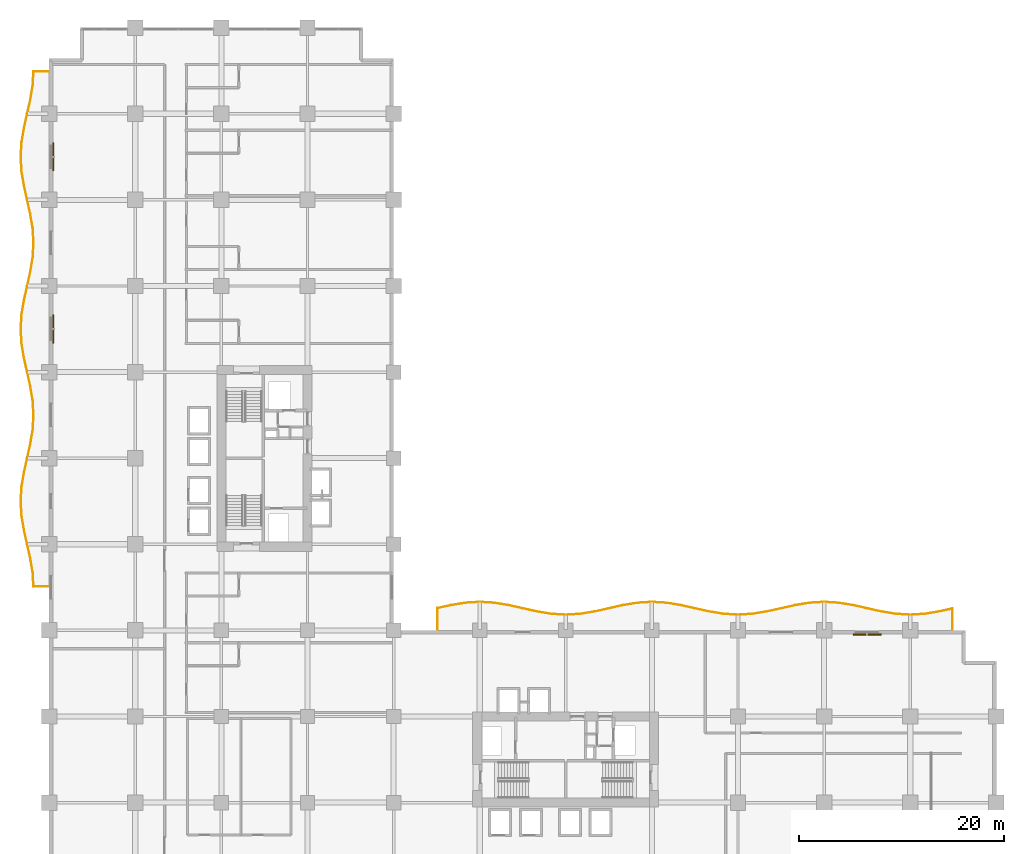
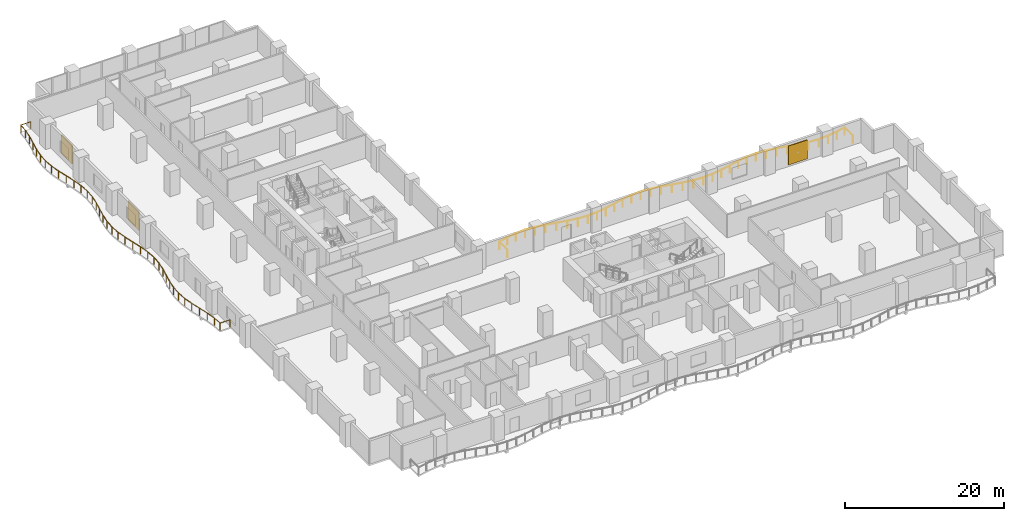
# One storey, part 22 of 22: 3 shading devices, 2 railings.
"""IFC4 building model written with IfcOpenShell, lengths in metres."""

from ifc_helpers import new_model, si_unit, direction, frame, origin, origin_2d, place, context, subcontext, project, spatial, rectangle, circle, extrude, material, layer, layer_set, type_object, element, save


model = new_model("IFC4")

# Units and contexts
model_context = context("Model", 3, precision=1e-05, world=origin(), true_north=direction((0.0, 1.0)))
body_context = subcontext(model_context, "Body", "Model", "MODEL_VIEW")
ifc_project = project(units=[si_unit("LENGTHUNIT", "METRE"), si_unit("AREAUNIT", "SQUARE_METRE"), si_unit("VOLUMEUNIT", "CUBIC_METRE"), si_unit("PLANEANGLEUNIT", "RADIAN"), si_unit("MASSUNIT", "GRAM", prefix="KILO")], contexts=[model_context])

# Site, building, storey
site_placement = place(None, origin())
site = spatial("IfcSite", under=ifc_project, at=site_placement, CompositionType="ELEMENT")
building_placement = place(site_placement, origin())
building = spatial("IfcBuilding", under=site, at=building_placement, Name="Koriwani Terraces Tower", CompositionType="ELEMENT")
storey_placement = place(building_placement, frame((0.0, 0.0, 62.39990234375)))
storey = spatial("IfcBuildingStorey", under=building, at=storey_placement, Name="L14", CompositionType="ELEMENT", Elevation=62.39990234375)

# Railings
ifc_material_1 = material(Name="Steel ASTM A572 Grade 50", Category="steel")
railing_type = type_object("IfcRailingType", Name="GUARD_BALUSTRADE_1150", PredefinedType="BALUSTRADE", material=ifc_material_1)
railing_1_placement = place(storey_placement, frame((-0.080078125, 37.8798828125, 0.0)))
element("IfcRailing", 1, at=railing_1_placement, inside=storey, type_object=railing_type, Name="L14 Balcony Perimeter Safety Balustrade (W)", PredefinedType="BALUSTRADE", context=body_context, shape_type="SweptSolid", body=[
    extrude(circle(Radius=0.02392578125, at=origin_2d()), frame((0.0, 0.0, 1.1259765625), z_axis=(-1.0, 0.0, 0.0), x_axis=(0.0, -1.0, 0.0)), (0.0, 0.0, 1.0), 1.444580078125),
    extrude(circle(Radius=0.02392578125, at=origin_2d()), frame((-1.444580078125, 0.0, 1.1259765625), z_axis=(-0.059786303672, 0.998211199042, 0.0), x_axis=(-0.998211199042, -0.059786303672, 0.0)), (0.0, 0.0, 1.0), 1.331298828125),
    extrude(circle(Radius=0.02392578125, at=origin_2d()), frame((-1.524169921875, 1.328857421875, 1.1259765625), z_axis=(-0.161203411159, 0.986921202645, 0.0), x_axis=(-0.986921202645, -0.161203411159, 0.0)), (0.0, 0.0, 1.0), 1.425048828125),
    extrude(circle(Radius=0.02392578125, at=origin_2d()), frame((-1.75390625, 2.7353515625, 1.1259765625), z_axis=(-0.217849413893, 0.975982393728, 0.0), x_axis=(-0.975982393728, -0.217849413893, 0.0)), (0.0, 0.0, 1.0), 2.868896484375),
    extrude(circle(Radius=0.02392578125, at=origin_2d()), frame((-2.37890625, 5.535400390625, 1.1259765625), z_axis=(-0.16131405304, 0.986903124066, 0.0), x_axis=(-0.986903124066, -0.16131405304, 0.0)), (0.0, 0.0, 1.0), 1.412109375),
    extrude(circle(Radius=0.02392578125, at=origin_2d()), frame((-2.606689453125, 6.928955078125, 1.1259765625), z_axis=(-0.059738678687, 0.998214050326, 0.0), x_axis=(-0.998214050326, -0.059738678687, 0.0)), (0.0, 0.0, 1.0), 1.3935546875),
    extrude(circle(Radius=0.02392578125, at=origin_2d()), frame((-2.68994140625, 8.320068359375, 1.1259765625), z_axis=(0.059738678687, 0.998214050326, 0.0), x_axis=(-0.998214050326, 0.059738678687, 0.0)), (0.0, 0.0, 1.0), 1.3935546875),
    extrude(circle(Radius=0.02392578125, at=origin_2d()), frame((-2.606689453125, 9.711181640625, 1.1259765625), z_axis=(0.161286532042, 0.986907622111, 0.0), x_axis=(-0.986907622111, 0.161286532042, 0.0)), (0.0, 0.0, 1.0), 1.412353515625),
    extrude(circle(Radius=0.02392578125, at=origin_2d()), frame((-2.37890625, 11.10498046875, 1.1259765625), z_axis=(0.217849413893, 0.975982393728, 0.0), x_axis=(-0.975982393728, 0.217849413893, 0.0)), (0.0, 0.0, 1.0), 2.868896484375),
    extrude(circle(Radius=0.02392578125, at=origin_2d()), frame((-1.75390625, 13.905029296875, 1.1259765625), z_axis=(0.161230670401, 0.986916749742, 0.0), x_axis=(-0.986916749742, 0.161230670401, 0.0)), (0.0, 0.0, 1.0), 1.4248046875),
    extrude(circle(Radius=0.02392578125, at=origin_2d()), frame((-1.524169921875, 15.311279296875, 1.1259765625), z_axis=(0.059675127152, 0.998217851573, 0.0), x_axis=(-0.998217851573, 0.059675127152, 0.0)), (0.0, 0.0, 1.0), 1.411376953125),
    extrude(circle(Radius=0.02392578125, at=origin_2d()), frame((-1.43994140625, 16.72021484375, 1.1259765625), z_axis=(-0.059685432622, 0.998217235442, 0.0), x_axis=(-0.998217235442, -0.059685432622, 0.0)), (0.0, 0.0, 1.0), 1.4111328125),
    extrude(circle(Radius=0.02392578125, at=origin_2d()), frame((-1.524169921875, 18.12890625, 1.1259765625), z_axis=(-0.161203411159, 0.986921202645, 0.0), x_axis=(-0.986921202645, -0.161203411159, 0.0)), (0.0, 0.0, 1.0), 1.425048828125),
    extrude(circle(Radius=0.02392578125, at=origin_2d()), frame((-1.75390625, 19.535400390625, 1.1259765625), z_axis=(-0.217867508535, 0.97597835464, 0.0), x_axis=(-0.97597835464, -0.217867508535, 0.0)), (0.0, 0.0, 1.0), 2.86865234375),
    extrude(circle(Radius=0.02392578125, at=origin_2d()), frame((-2.37890625, 22.335205078125, 1.1259765625), z_axis=(-0.161286532042, 0.986907622111, 0.0), x_axis=(-0.986907622111, -0.161286532042, 0.0)), (0.0, 0.0, 1.0), 1.412353515625),
    extrude(circle(Radius=0.02392578125, at=origin_2d()), frame((-2.606689453125, 23.72900390625, 1.1259765625), z_axis=(-0.059738678687, 0.998214050326, 0.0), x_axis=(-0.998214050326, -0.059738678687, 0.0)), (0.0, 0.0, 1.0), 1.3935546875),
    extrude(circle(Radius=0.02392578125, at=origin_2d()), frame((-2.68994140625, 25.1201171875, 1.1259765625), z_axis=(0.059738678687, 0.998214050326, 0.0), x_axis=(-0.998214050326, 0.059738678687, 0.0)), (0.0, 0.0, 1.0), 1.3935546875),
    extrude(circle(Radius=0.02392578125, at=origin_2d()), frame((-2.606689453125, 26.51123046875, 1.1259765625), z_axis=(0.161286532042, 0.986907622111, 0.0), x_axis=(-0.986907622111, 0.161286532042, 0.0)), (0.0, 0.0, 1.0), 1.412353515625),
    extrude(circle(Radius=0.02392578125, at=origin_2d()), frame((-2.37890625, 27.905029296875, 1.1259765625), z_axis=(0.217867508535, 0.97597835464, 0.0), x_axis=(-0.97597835464, 0.217867508535, 0.0)), (0.0, 0.0, 1.0), 2.86865234375),
    extrude(circle(Radius=0.02392578125, at=origin_2d()), frame((-1.75390625, 30.704833984375, 1.1259765625), z_axis=(0.161203411159, 0.986921202645, 0.0), x_axis=(-0.986921202645, 0.161203411159, 0.0)), (0.0, 0.0, 1.0), 1.425048828125),
    extrude(circle(Radius=0.02392578125, at=origin_2d()), frame((-1.524169921875, 32.111328125, 1.1259765625), z_axis=(0.059685432622, 0.998217235442, 0.0), x_axis=(-0.998217235442, 0.059685432622, 0.0)), (0.0, 0.0, 1.0), 1.4111328125),
    extrude(circle(Radius=0.02392578125, at=origin_2d()), frame((-1.43994140625, 33.52001953125, 1.1259765625), z_axis=(-0.059675127152, 0.998217851573, 0.0), x_axis=(-0.998217851573, -0.059675127152, 0.0)), (0.0, 0.0, 1.0), 1.411376953125),
    extrude(circle(Radius=0.02392578125, at=origin_2d()), frame((-1.524169921875, 34.928955078125, 1.1259765625), z_axis=(-0.161230670401, 0.986916749742, 0.0), x_axis=(-0.986916749742, -0.161230670401, 0.0)), (0.0, 0.0, 1.0), 1.4248046875),
    extrude(circle(Radius=0.02392578125, at=origin_2d()), frame((-1.75390625, 36.335205078125, 1.1259765625), z_axis=(-0.217849413893, 0.975982393728, 0.0), x_axis=(-0.975982393728, -0.217849413893, 0.0)), (0.0, 0.0, 1.0), 2.868896484375),
    extrude(circle(Radius=0.02392578125, at=origin_2d()), frame((-2.37890625, 39.13525390625, 1.1259765625), z_axis=(-0.161286532042, 0.986907622111, 0.0), x_axis=(-0.986907622111, -0.161286532042, 0.0)), (0.0, 0.0, 1.0), 1.412353515625),
    extrude(circle(Radius=0.02392578125, at=origin_2d()), frame((-2.606689453125, 40.529052734375, 1.1259765625), z_axis=(-0.059738678687, 0.998214050326, 0.0), x_axis=(-0.998214050326, -0.059738678687, 0.0)), (0.0, 0.0, 1.0), 1.3935546875),
    extrude(circle(Radius=0.02392578125, at=origin_2d()), frame((-2.68994140625, 41.920166015625, 1.1259765625), z_axis=(0.059738678687, 0.998214050326, 0.0), x_axis=(-0.998214050326, 0.059738678687, 0.0)), (0.0, 0.0, 1.0), 1.3935546875),
    extrude(circle(Radius=0.02392578125, at=origin_2d()), frame((-2.606689453125, 43.311279296875, 1.1259765625), z_axis=(0.16131405304, 0.986903124066, 0.0), x_axis=(-0.986903124066, 0.16131405304, 0.0)), (0.0, 0.0, 1.0), 1.412109375),
    extrude(circle(Radius=0.02392578125, at=origin_2d()), frame((-2.37890625, 44.704833984375, 1.1259765625), z_axis=(0.217849413893, 0.975982393728, 0.0), x_axis=(-0.975982393728, 0.217849413893, 0.0)), (0.0, 0.0, 1.0), 2.868896484375),
    extrude(circle(Radius=0.02392578125, at=origin_2d()), frame((-1.75390625, 47.5048828125, 1.1259765625), z_axis=(0.161203411159, 0.986921202645, 0.0), x_axis=(-0.986921202645, 0.161203411159, 0.0)), (0.0, 0.0, 1.0), 1.425048828125),
    extrude(circle(Radius=0.02392578125, at=origin_2d()), frame((-1.524169921875, 48.911376953125, 1.1259765625), z_axis=(0.059786303672, 0.998211199042, 0.0), x_axis=(-0.998211199042, 0.059786303672, 0.0)), (0.0, 0.0, 1.0), 1.331298828125),
    extrude(circle(Radius=0.02392578125, at=origin_2d()), frame((-1.444580078125, 50.240234375, 1.1259765625), z_axis=(1.0, 0.0, 0.0), x_axis=(0.0, 1.0, 0.0)), (0.0, 0.0, 1.0), 1.444580078125),
    extrude(circle(Radius=0.02099609375, at=origin_2d()), origin(), (0.0, 0.0, 1.0), 1.101806640625),
    extrude(circle(Radius=0.02099609375, at=origin_2d()), frame((-1.444580078125, 0.0, 0.0)), (0.0, 0.0, 1.0), 1.101806640625),
    extrude(circle(Radius=0.02099609375, at=origin_2d()), frame((-1.524169921875, 1.328857421875, 0.0)), (0.0, 0.0, 1.0), 1.101806640625),
    extrude(circle(Radius=0.02099609375, at=origin_2d()), frame((-1.75390625, 2.7353515625, 0.0)), (0.0, 0.0, 1.0), 1.101806640625),
    extrude(circle(Radius=0.02099609375, at=origin_2d()), frame((-2.06640625, 4.13525390625, 0.0)), (0.0, 0.0, 1.0), 1.101806640625),
    extrude(circle(Radius=0.02099609375, at=origin_2d()), frame((-2.37890625, 5.535400390625, 0.0)), (0.0, 0.0, 1.0), 1.101806640625),
    extrude(circle(Radius=0.02099609375, at=origin_2d()), frame((-2.606689453125, 6.928955078125, 0.0)), (0.0, 0.0, 1.0), 1.101806640625),
    extrude(circle(Radius=0.02099609375, at=origin_2d()), frame((-2.68994140625, 8.320068359375, 0.0)), (0.0, 0.0, 1.0), 1.101806640625),
    extrude(circle(Radius=0.02099609375, at=origin_2d()), frame((-2.606689453125, 9.711181640625, 0.0)), (0.0, 0.0, 1.0), 1.101806640625),
    extrude(circle(Radius=0.02099609375, at=origin_2d()), frame((-2.37890625, 11.10498046875, 0.0)), (0.0, 0.0, 1.0), 1.101806640625),
    extrude(circle(Radius=0.02099609375, at=origin_2d()), frame((-2.06640625, 12.5048828125, 0.0)), (0.0, 0.0, 1.0), 1.101806640625),
    extrude(circle(Radius=0.02099609375, at=origin_2d()), frame((-1.75390625, 13.905029296875, 0.0)), (0.0, 0.0, 1.0), 1.101806640625),
    extrude(circle(Radius=0.02099609375, at=origin_2d()), frame((-1.524169921875, 15.311279296875, 0.0)), (0.0, 0.0, 1.0), 1.101806640625),
    extrude(circle(Radius=0.02099609375, at=origin_2d()), frame((-1.43994140625, 16.72021484375, 0.0)), (0.0, 0.0, 1.0), 1.101806640625),
    extrude(circle(Radius=0.02099609375, at=origin_2d()), frame((-1.524169921875, 18.12890625, 0.0)), (0.0, 0.0, 1.0), 1.101806640625),
    extrude(circle(Radius=0.02099609375, at=origin_2d()), frame((-1.75390625, 19.535400390625, 0.0)), (0.0, 0.0, 1.0), 1.101806640625),
    extrude(circle(Radius=0.02099609375, at=origin_2d()), frame((-2.06640625, 20.935302734375, 0.0)), (0.0, 0.0, 1.0), 1.101806640625),
    extrude(circle(Radius=0.02099609375, at=origin_2d()), frame((-2.37890625, 22.335205078125, 0.0)), (0.0, 0.0, 1.0), 1.101806640625),
    extrude(circle(Radius=0.02099609375, at=origin_2d()), frame((-2.606689453125, 23.72900390625, 0.0)), (0.0, 0.0, 1.0), 1.101806640625),
    extrude(circle(Radius=0.02099609375, at=origin_2d()), frame((-2.68994140625, 25.1201171875, 0.0)), (0.0, 0.0, 1.0), 1.101806640625),
    extrude(circle(Radius=0.02099609375, at=origin_2d()), frame((-2.606689453125, 26.51123046875, 0.0)), (0.0, 0.0, 1.0), 1.101806640625),
    extrude(circle(Radius=0.02099609375, at=origin_2d()), frame((-2.37890625, 27.905029296875, 0.0)), (0.0, 0.0, 1.0), 1.101806640625),
    extrude(circle(Radius=0.02099609375, at=origin_2d()), frame((-2.06640625, 29.304931640625, 0.0)), (0.0, 0.0, 1.0), 1.101806640625),
    extrude(circle(Radius=0.02099609375, at=origin_2d()), frame((-1.75390625, 30.704833984375, 0.0)), (0.0, 0.0, 1.0), 1.101806640625),
    extrude(circle(Radius=0.02099609375, at=origin_2d()), frame((-1.524169921875, 32.111328125, 0.0)), (0.0, 0.0, 1.0), 1.101806640625),
    extrude(circle(Radius=0.02099609375, at=origin_2d()), frame((-1.43994140625, 33.52001953125, 0.0)), (0.0, 0.0, 1.0), 1.101806640625),
    extrude(circle(Radius=0.02099609375, at=origin_2d()), frame((-1.524169921875, 34.928955078125, 0.0)), (0.0, 0.0, 1.0), 1.101806640625),
    extrude(circle(Radius=0.02099609375, at=origin_2d()), frame((-1.75390625, 36.335205078125, 0.0)), (0.0, 0.0, 1.0), 1.101806640625),
    extrude(circle(Radius=0.02099609375, at=origin_2d()), frame((-2.06640625, 37.7353515625, 0.0)), (0.0, 0.0, 1.0), 1.101806640625),
    extrude(circle(Radius=0.02099609375, at=origin_2d()), frame((-2.37890625, 39.13525390625, 0.0)), (0.0, 0.0, 1.0), 1.101806640625),
    extrude(circle(Radius=0.02099609375, at=origin_2d()), frame((-2.606689453125, 40.529052734375, 0.0)), (0.0, 0.0, 1.0), 1.101806640625),
    extrude(circle(Radius=0.02099609375, at=origin_2d()), frame((-2.68994140625, 41.920166015625, 0.0)), (0.0, 0.0, 1.0), 1.101806640625),
    extrude(circle(Radius=0.02099609375, at=origin_2d()), frame((-2.606689453125, 43.311279296875, 0.0)), (0.0, 0.0, 1.0), 1.101806640625),
    extrude(circle(Radius=0.02099609375, at=origin_2d()), frame((-2.37890625, 44.704833984375, 0.0)), (0.0, 0.0, 1.0), 1.101806640625),
    extrude(circle(Radius=0.02099609375, at=origin_2d()), frame((-2.06640625, 46.10498046875, 0.0)), (0.0, 0.0, 1.0), 1.101806640625),
    extrude(circle(Radius=0.02099609375, at=origin_2d()), frame((-1.75390625, 47.5048828125, 0.0)), (0.0, 0.0, 1.0), 1.101806640625),
    extrude(circle(Radius=0.02099609375, at=origin_2d()), frame((-1.524169921875, 48.911376953125, 0.0)), (0.0, 0.0, 1.0), 1.101806640625),
    extrude(circle(Radius=0.02099609375, at=origin_2d()), frame((-1.444580078125, 50.240234375, 0.0)), (0.0, 0.0, 1.0), 1.101806640625),
    extrude(circle(Radius=0.02099609375, at=origin_2d()), frame((0.0, 50.240234375, 0.0)), (0.0, 0.0, 1.0), 1.101806640625),
])
railing_2_placement = place(storey_placement, frame((88.1201171875, 33.679931640625, 0.0)))
element("IfcRailing", 2, at=railing_2_placement, inside=storey, type_object=railing_type, Name="L14 Balcony Perimeter Safety Balustrade (NE)", PredefinedType="BALUSTRADE", context=body_context, shape_type="SweptSolid", body=[
    extrude(circle(Radius=0.02392578125, at=origin_2d()), frame((0.0, 0.0, 1.1259765625), z_axis=(0.0, 1.0, 0.0), x_axis=(-1.0, 0.0, 0.0)), (0.0, 0.0, 1.0), 2.045166015625),
    extrude(circle(Radius=0.02392578125, at=origin_2d()), frame((0.0, 2.045166015625, 1.1259765625), z_axis=(-0.976023513378, -0.217665112806, 0.0), x_axis=(0.217665112806, -0.976023513378, 0.0)), (0.0, 0.0, 1.0), 1.3369140625),
    extrude(circle(Radius=0.02392578125, at=origin_2d()), frame((-1.304931640625, 1.754150390625, 1.1259765625), z_axis=(-0.986921202645, -0.161203411159, 0.0), x_axis=(0.161203411159, -0.986921202645, 0.0)), (0.0, 0.0, 1.0), 1.425048828125),
    extrude(circle(Radius=0.02392578125, at=origin_2d()), frame((-2.71142578125, 1.5244140625, 1.1259765625), z_axis=(-0.998217235442, -0.059685432622, 0.0), x_axis=(0.059685432622, -0.998217235442, 0.0)), (0.0, 0.0, 1.0), 1.4111328125),
    extrude(circle(Radius=0.02392578125, at=origin_2d()), frame((-4.1201171875, 1.440185546875, 1.1259765625), z_axis=(-0.998217235442, 0.059685432622, 0.0), x_axis=(-0.059685432622, -0.998217235442, 0.0)), (0.0, 0.0, 1.0), 1.4111328125),
    extrude(circle(Radius=0.02392578125, at=origin_2d()), frame((-5.52880859375, 1.5244140625, 1.1259765625), z_axis=(-0.986921202645, 0.161203411159, 0.0), x_axis=(-0.161203411159, -0.986921202645, 0.0)), (0.0, 0.0, 1.0), 1.425048828125),
    extrude(circle(Radius=0.02392578125, at=origin_2d()), frame((-6.935302734375, 1.754150390625, 1.1259765625), z_axis=(-0.976000483873, 0.217768352797, 0.0), x_axis=(-0.217768352797, -0.976000483873, 0.0)), (0.0, 0.0, 1.0), 2.868896484375),
    extrude(circle(Radius=0.02392578125, at=origin_2d()), frame((-9.7353515625, 2.37890625, 1.1259765625), z_axis=(-0.986903124066, 0.16131405304, 0.0), x_axis=(-0.16131405304, -0.986903124066, 0.0)), (0.0, 0.0, 1.0), 1.412109375),
    extrude(circle(Radius=0.02392578125, at=origin_2d()), frame((-11.12890625, 2.606689453125, 1.1259765625), z_axis=(-0.998214050326, 0.059738678687, 0.0), x_axis=(-0.059738678687, -0.998214050326, 0.0)), (0.0, 0.0, 1.0), 1.3935546875),
    extrude(circle(Radius=0.02392578125, at=origin_2d()), frame((-12.52001953125, 2.68994140625, 1.1259765625), z_axis=(-0.998214050326, -0.059738678687, 0.0), x_axis=(0.059738678687, -0.998214050326, 0.0)), (0.0, 0.0, 1.0), 1.3935546875),
    extrude(circle(Radius=0.02392578125, at=origin_2d()), frame((-13.9111328125, 2.606689453125, 1.1259765625), z_axis=(-0.986907622111, -0.161286532042, 0.0), x_axis=(0.161286532042, -0.986907622111, 0.0)), (0.0, 0.0, 1.0), 1.412353515625),
    extrude(circle(Radius=0.02392578125, at=origin_2d()), frame((-15.304931640625, 2.37890625, 1.1259765625), z_axis=(-0.976000483873, -0.217768352797, 0.0), x_axis=(0.217768352797, -0.976000483873, 0.0)), (0.0, 0.0, 1.0), 2.868896484375),
    extrude(circle(Radius=0.02392578125, at=origin_2d()), frame((-18.10498046875, 1.754150390625, 1.1259765625), z_axis=(-0.986916749742, -0.161230670401, 0.0), x_axis=(0.161230670401, -0.986916749742, 0.0)), (0.0, 0.0, 1.0), 1.4248046875),
    extrude(circle(Radius=0.02392578125, at=origin_2d()), frame((-19.51123046875, 1.5244140625, 1.1259765625), z_axis=(-0.998217851573, -0.059675127152, 0.0), x_axis=(0.059675127152, -0.998217851573, 0.0)), (0.0, 0.0, 1.0), 1.411376953125),
    extrude(circle(Radius=0.02392578125, at=origin_2d()), frame((-20.920166015625, 1.440185546875, 1.1259765625), z_axis=(-0.998217235442, 0.059685432622, 0.0), x_axis=(-0.059685432622, -0.998217235442, 0.0)), (0.0, 0.0, 1.0), 1.4111328125),
    extrude(circle(Radius=0.02392578125, at=origin_2d()), frame((-22.328857421875, 1.5244140625, 1.1259765625), z_axis=(-0.986921202645, 0.161203411159, 0.0), x_axis=(-0.161203411159, -0.986921202645, 0.0)), (0.0, 0.0, 1.0), 1.425048828125),
    extrude(circle(Radius=0.02392578125, at=origin_2d()), frame((-23.7353515625, 1.754150390625, 1.1259765625), z_axis=(-0.976000483873, 0.217768352797, 0.0), x_axis=(-0.217768352797, -0.976000483873, 0.0)), (0.0, 0.0, 1.0), 2.868896484375),
    extrude(circle(Radius=0.02392578125, at=origin_2d()), frame((-26.535400390625, 2.37890625, 1.1259765625), z_axis=(-0.986903124066, 0.16131405304, 0.0), x_axis=(-0.16131405304, -0.986903124066, 0.0)), (0.0, 0.0, 1.0), 1.412109375),
    extrude(circle(Radius=0.02392578125, at=origin_2d()), frame((-27.928955078125, 2.606689453125, 1.1259765625), z_axis=(-0.998214050326, 0.059738678687, 0.0), x_axis=(-0.059738678687, -0.998214050326, 0.0)), (0.0, 0.0, 1.0), 1.3935546875),
    extrude(circle(Radius=0.02392578125, at=origin_2d()), frame((-29.320068359375, 2.68994140625, 1.1259765625), z_axis=(-0.998214050326, -0.059738678687, 0.0), x_axis=(0.059738678687, -0.998214050326, 0.0)), (0.0, 0.0, 1.0), 1.3935546875),
    extrude(circle(Radius=0.02392578125, at=origin_2d()), frame((-30.711181640625, 2.606689453125, 1.1259765625), z_axis=(-0.986907622111, -0.161286532042, 0.0), x_axis=(0.161286532042, -0.986907622111, 0.0)), (0.0, 0.0, 1.0), 1.412353515625),
    extrude(circle(Radius=0.02392578125, at=origin_2d()), frame((-32.10498046875, 2.37890625, 1.1259765625), z_axis=(-0.976000483873, -0.217768352797, 0.0), x_axis=(0.217768352797, -0.976000483873, 0.0)), (0.0, 0.0, 1.0), 2.868896484375),
    extrude(circle(Radius=0.02392578125, at=origin_2d()), frame((-34.905029296875, 1.754150390625, 1.1259765625), z_axis=(-0.986916749742, -0.161230670401, 0.0), x_axis=(0.161230670401, -0.986916749742, 0.0)), (0.0, 0.0, 1.0), 1.4248046875),
    extrude(circle(Radius=0.02392578125, at=origin_2d()), frame((-36.311279296875, 1.5244140625, 1.1259765625), z_axis=(-0.998217851573, -0.059675127152, 0.0), x_axis=(0.059675127152, -0.998217851573, 0.0)), (0.0, 0.0, 1.0), 1.411376953125),
    extrude(circle(Radius=0.02392578125, at=origin_2d()), frame((-37.72021484375, 1.440185546875, 1.1259765625), z_axis=(-0.998217235442, 0.059685432622, 0.0), x_axis=(-0.059685432622, -0.998217235442, 0.0)), (0.0, 0.0, 1.0), 1.4111328125),
    extrude(circle(Radius=0.02392578125, at=origin_2d()), frame((-39.12890625, 1.5244140625, 1.1259765625), z_axis=(-0.986921202645, 0.161203411159, 0.0), x_axis=(-0.161203411159, -0.986921202645, 0.0)), (0.0, 0.0, 1.0), 1.425048828125),
    extrude(circle(Radius=0.02392578125, at=origin_2d()), frame((-40.535400390625, 1.754150390625, 1.1259765625), z_axis=(-0.975996447715, 0.217786441376, 0.0), x_axis=(-0.217786441376, -0.975996447715, 0.0)), (0.0, 0.0, 1.0), 2.86865234375),
    extrude(circle(Radius=0.02392578125, at=origin_2d()), frame((-43.335205078125, 2.37890625, 1.1259765625), z_axis=(-0.986907622111, 0.161286532042, 0.0), x_axis=(-0.161286532042, -0.986907622111, 0.0)), (0.0, 0.0, 1.0), 1.412353515625),
    extrude(circle(Radius=0.02392578125, at=origin_2d()), frame((-44.72900390625, 2.606689453125, 1.1259765625), z_axis=(-0.998214050326, 0.059738678687, 0.0), x_axis=(-0.059738678687, -0.998214050326, 0.0)), (0.0, 0.0, 1.0), 1.3935546875),
    extrude(circle(Radius=0.02392578125, at=origin_2d()), frame((-46.1201171875, 2.68994140625, 1.1259765625), z_axis=(-0.998214050326, -0.059738678687, 0.0), x_axis=(0.059738678687, -0.998214050326, 0.0)), (0.0, 0.0, 1.0), 1.3935546875),
    extrude(circle(Radius=0.02392578125, at=origin_2d()), frame((-47.51123046875, 2.606689453125, 1.1259765625), z_axis=(-0.986907622111, -0.161286532042, 0.0), x_axis=(0.161286532042, -0.986907622111, 0.0)), (0.0, 0.0, 1.0), 1.412353515625),
    extrude(circle(Radius=0.02392578125, at=origin_2d()), frame((-48.905029296875, 2.37890625, 1.1259765625), z_axis=(-0.976010374822, -0.217724018519, 0.0), x_axis=(0.217724018519, -0.976010374822, 0.0)), (0.0, 0.0, 1.0), 1.367919921875),
    extrude(circle(Radius=0.02392578125, at=origin_2d()), frame((-50.240234375, 2.0810546875, 1.1259765625), z_axis=(0.0, -1.0, 0.0), x_axis=(1.0, 0.0, 0.0)), (0.0, 0.0, 1.0), 2.0810546875),
    extrude(circle(Radius=0.02099609375, at=origin_2d()), origin(), (0.0, 0.0, 1.0), 1.101806640625),
    extrude(circle(Radius=0.02099609375, at=origin_2d()), frame((0.0, 2.045166015625, 0.0)), (0.0, 0.0, 1.0), 1.101806640625),
    extrude(circle(Radius=0.02099609375, at=origin_2d()), frame((-1.304931640625, 1.754150390625, 0.0)), (0.0, 0.0, 1.0), 1.101806640625),
    extrude(circle(Radius=0.02099609375, at=origin_2d()), frame((-2.71142578125, 1.5244140625, 0.0)), (0.0, 0.0, 1.0), 1.101806640625),
    extrude(circle(Radius=0.02099609375, at=origin_2d()), frame((-4.1201171875, 1.440185546875, 0.0)), (0.0, 0.0, 1.0), 1.101806640625),
    extrude(circle(Radius=0.02099609375, at=origin_2d()), frame((-5.52880859375, 1.5244140625, 0.0)), (0.0, 0.0, 1.0), 1.101806640625),
    extrude(circle(Radius=0.02099609375, at=origin_2d()), frame((-6.935302734375, 1.754150390625, 0.0)), (0.0, 0.0, 1.0), 1.101806640625),
    extrude(circle(Radius=0.02099609375, at=origin_2d()), frame((-8.33544921875, 2.06640625, 0.0)), (0.0, 0.0, 1.0), 1.101806640625),
    extrude(circle(Radius=0.02099609375, at=origin_2d()), frame((-9.7353515625, 2.37890625, 0.0)), (0.0, 0.0, 1.0), 1.101806640625),
    extrude(circle(Radius=0.02099609375, at=origin_2d()), frame((-11.12890625, 2.606689453125, 0.0)), (0.0, 0.0, 1.0), 1.101806640625),
    extrude(circle(Radius=0.02099609375, at=origin_2d()), frame((-12.52001953125, 2.68994140625, 0.0)), (0.0, 0.0, 1.0), 1.101806640625),
    extrude(circle(Radius=0.02099609375, at=origin_2d()), frame((-13.9111328125, 2.606689453125, 0.0)), (0.0, 0.0, 1.0), 1.101806640625),
    extrude(circle(Radius=0.02099609375, at=origin_2d()), frame((-15.304931640625, 2.37890625, 0.0)), (0.0, 0.0, 1.0), 1.101806640625),
    extrude(circle(Radius=0.02099609375, at=origin_2d()), frame((-16.705078125, 2.06640625, 0.0)), (0.0, 0.0, 1.0), 1.101806640625),
    extrude(circle(Radius=0.02099609375, at=origin_2d()), frame((-18.10498046875, 1.754150390625, 0.0)), (0.0, 0.0, 1.0), 1.101806640625),
    extrude(circle(Radius=0.02099609375, at=origin_2d()), frame((-19.51123046875, 1.5244140625, 0.0)), (0.0, 0.0, 1.0), 1.101806640625),
    extrude(circle(Radius=0.02099609375, at=origin_2d()), frame((-20.920166015625, 1.440185546875, 0.0)), (0.0, 0.0, 1.0), 1.101806640625),
    extrude(circle(Radius=0.02099609375, at=origin_2d()), frame((-22.328857421875, 1.5244140625, 0.0)), (0.0, 0.0, 1.0), 1.101806640625),
    extrude(circle(Radius=0.02099609375, at=origin_2d()), frame((-23.7353515625, 1.754150390625, 0.0)), (0.0, 0.0, 1.0), 1.101806640625),
    extrude(circle(Radius=0.02099609375, at=origin_2d()), frame((-25.13525390625, 2.06640625, 0.0)), (0.0, 0.0, 1.0), 1.101806640625),
    extrude(circle(Radius=0.02099609375, at=origin_2d()), frame((-26.535400390625, 2.37890625, 0.0)), (0.0, 0.0, 1.0), 1.101806640625),
    extrude(circle(Radius=0.02099609375, at=origin_2d()), frame((-27.928955078125, 2.606689453125, 0.0)), (0.0, 0.0, 1.0), 1.101806640625),
    extrude(circle(Radius=0.02099609375, at=origin_2d()), frame((-29.320068359375, 2.68994140625, 0.0)), (0.0, 0.0, 1.0), 1.101806640625),
    extrude(circle(Radius=0.02099609375, at=origin_2d()), frame((-30.711181640625, 2.606689453125, 0.0)), (0.0, 0.0, 1.0), 1.101806640625),
    extrude(circle(Radius=0.02099609375, at=origin_2d()), frame((-32.10498046875, 2.37890625, 0.0)), (0.0, 0.0, 1.0), 1.101806640625),
    extrude(circle(Radius=0.02099609375, at=origin_2d()), frame((-33.5048828125, 2.06640625, 0.0)), (0.0, 0.0, 1.0), 1.101806640625),
    extrude(circle(Radius=0.02099609375, at=origin_2d()), frame((-34.905029296875, 1.754150390625, 0.0)), (0.0, 0.0, 1.0), 1.101806640625),
    extrude(circle(Radius=0.02099609375, at=origin_2d()), frame((-36.311279296875, 1.5244140625, 0.0)), (0.0, 0.0, 1.0), 1.101806640625),
    extrude(circle(Radius=0.02099609375, at=origin_2d()), frame((-37.72021484375, 1.440185546875, 0.0)), (0.0, 0.0, 1.0), 1.101806640625),
    extrude(circle(Radius=0.02099609375, at=origin_2d()), frame((-39.12890625, 1.5244140625, 0.0)), (0.0, 0.0, 1.0), 1.101806640625),
    extrude(circle(Radius=0.02099609375, at=origin_2d()), frame((-40.535400390625, 1.754150390625, 0.0)), (0.0, 0.0, 1.0), 1.101806640625),
    extrude(circle(Radius=0.02099609375, at=origin_2d()), frame((-41.935302734375, 2.06640625, 0.0)), (0.0, 0.0, 1.0), 1.101806640625),
    extrude(circle(Radius=0.02099609375, at=origin_2d()), frame((-43.335205078125, 2.37890625, 0.0)), (0.0, 0.0, 1.0), 1.101806640625),
    extrude(circle(Radius=0.02099609375, at=origin_2d()), frame((-44.72900390625, 2.606689453125, 0.0)), (0.0, 0.0, 1.0), 1.101806640625),
    extrude(circle(Radius=0.02099609375, at=origin_2d()), frame((-46.1201171875, 2.68994140625, 0.0)), (0.0, 0.0, 1.0), 1.101806640625),
    extrude(circle(Radius=0.02099609375, at=origin_2d()), frame((-47.51123046875, 2.606689453125, 0.0)), (0.0, 0.0, 1.0), 1.101806640625),
    extrude(circle(Radius=0.02099609375, at=origin_2d()), frame((-48.905029296875, 2.37890625, 0.0)), (0.0, 0.0, 1.0), 1.101806640625),
    extrude(circle(Radius=0.02099609375, at=origin_2d()), frame((-50.240234375, 2.0810546875, 0.0)), (0.0, 0.0, 1.0), 1.101806640625),
    extrude(circle(Radius=0.02099609375, at=origin_2d()), frame((-50.240234375, 0.0, 0.0)), (0.0, 0.0, 1.0), 1.101806640625),
])

# Shading devices
ifc_material_2 = material(Name="Extruded Terracotta Clay", Category="masonry")
ifc_layer = layer(ifc_material_2, 0.1201171875, Name="Extruded Terracotta Clay")
ifc_layer_set = layer_set([ifc_layer], Name="Extruded Terracotta Clay")
shading_device_type = type_object("IfcShadingDeviceType", Name="TERRACOTTA_BAGUETTE_SCREEN_2800", PredefinedType="USERDEFINED", material=ifc_layer_set)
for number, where, z_axis, x_axis, name in (
    (3, (0.405029296875, 63.0, 0.3251953125), (0.0, 0.0, 1.0), (0.0, 1.0, 0.0), "L14 Extruded Terracotta Baguette Screen (W-21)"),
    (4, (0.405029296875, 79.800048828125, 0.3251953125), (0.0, 0.0, 1.0), (0.0, 1.0, 0.0), "L14 Extruded Terracotta Baguette Screen (W-27)"),
    (5, (79.800048828125, 33.195068359375, 0.3251953125), (0.0, 0.0, 1.0), (1.0, 0.0, 0.0), "L14 Extruded Terracotta Baguette Screen (NE-17)"),
):
    element("IfcShadingDevice", number, at=place(storey_placement, frame(where, z_axis=z_axis, x_axis=x_axis)), inside=storey, type_object=shading_device_type, Name=name, ObjectType="BAGUETTE", PredefinedType="USERDEFINED", context=body_context, shape_type="SweptSolid", body=[
        extrude(rectangle(XDim=2.760009765625, YDim=0.1201171875, at=origin_2d()), origin(), (0.0, 0.0, 1.0), 2.89990234375),
    ])

save(model, "model.ifc")
